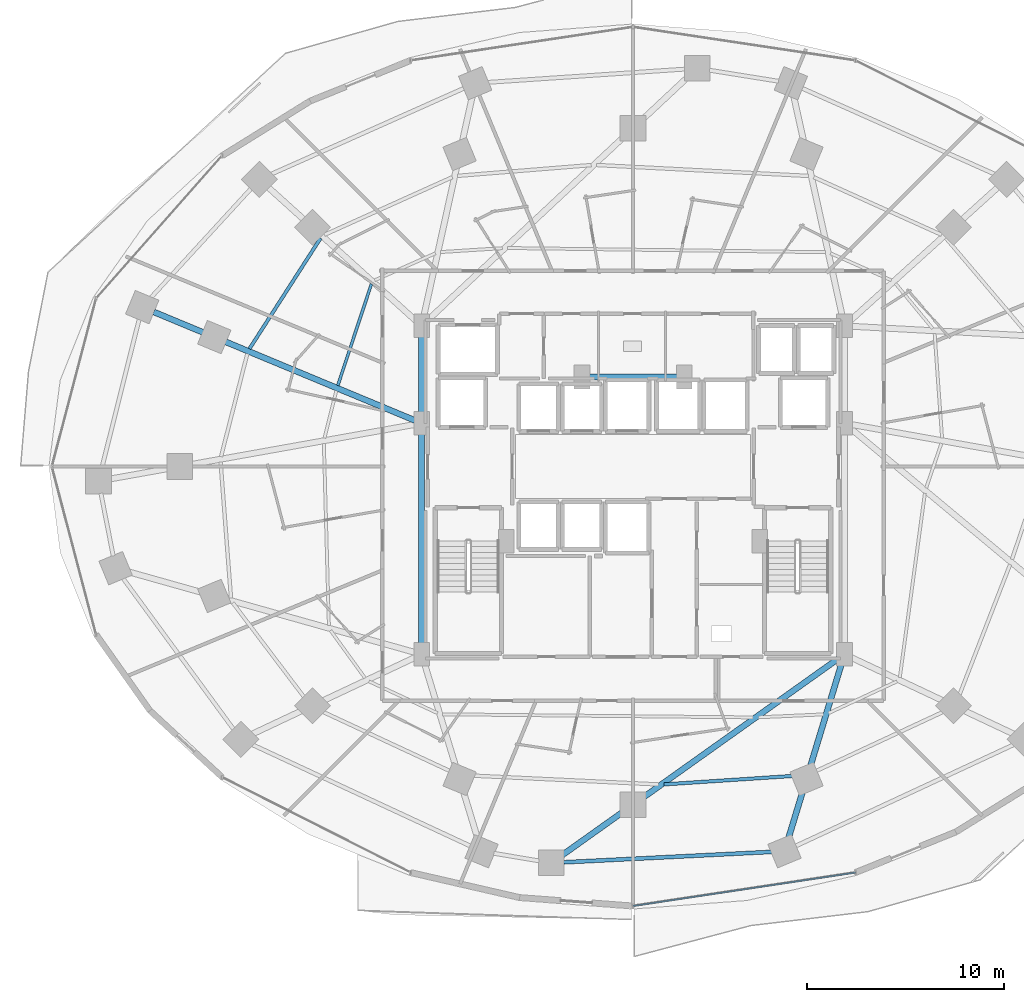
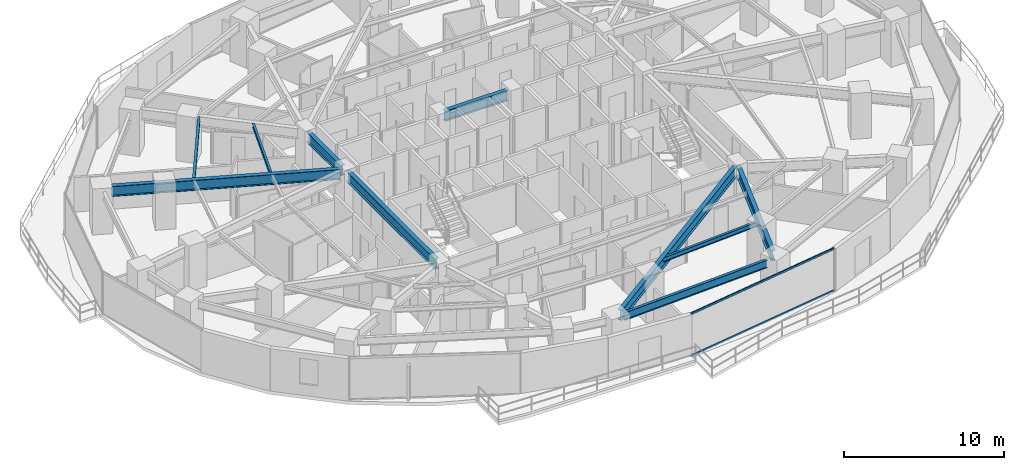
# One storey, part 11 of 36: 10 beams, 2 members, 1 element without a shape of its own.
"""IFC4 building model written with IfcOpenShell, lengths in metres."""

from ifc_helpers import new_model, si_unit, direction, frame, origin, origin_2d, place, context, subcontext, project, spatial, hollow_rectangle, i_section, extrude, material, material_profile, profile_set, type_object, element, aggregate, save


model = new_model("IFC4")

# Units and contexts
model_context = context("Model", 3, precision=1e-05, world=origin(), true_north=direction((0.0, 1.0)))
body_context = subcontext(model_context, "Body", "Model", "MODEL_VIEW")
ifc_project = project(units=[si_unit("LENGTHUNIT", "METRE"), si_unit("AREAUNIT", "SQUARE_METRE"), si_unit("VOLUMEUNIT", "CUBIC_METRE"), si_unit("PLANEANGLEUNIT", "RADIAN"), si_unit("MASSUNIT", "GRAM", prefix="KILO")], contexts=[model_context])

# Site, building, storey
site_placement = place(None, origin())
site = spatial("IfcSite", under=ifc_project, at=site_placement, CompositionType="ELEMENT")
building_placement = place(site_placement, origin())
building = spatial("IfcBuilding", under=site, at=building_placement, Name="Vorneva Point Tower", CompositionType="ELEMENT")
storey_placement = place(building_placement, frame((0.0, 0.0, 24.0)))
storey = spatial("IfcBuildingStorey", under=building, at=storey_placement, Name="L05", CompositionType="ELEMENT", Elevation=24.0)

# Beams
ifc_material_1 = material(Name="Steel S355", Category="steel")
ifc_material_profile_1 = material_profile(ifc_material_1, i_section(OverallWidth=0.300048828125, OverallDepth=0.7880859375, WebThickness=0.014404296875, FlangeThickness=0.02197265625, at=origin_2d()), Name="80Sh1")
ifc_profile_set_1 = profile_set([ifc_material_profile_1], Name="Steel S355")
beam_type_1 = type_object("IfcBeamType", Name="BM-GRD-80Sh1", PredefinedType="USERDEFINED", material=ifc_profile_set_1)
beam_1_placement = place(storey_placement, frame((13.62841796875, 33.860595703125, 2.845947265625), z_axis=(0.923441399183, -0.383739471874, 0.0), x_axis=(0.383739471874, 0.923441399183, 0.0)))
element("IfcBeam", 1, at=beam_1_placement, inside=storey, type_object=beam_type_1, Name="L05 Radial Primary Girder 08", ObjectType="GIRDER", PredefinedType="USERDEFINED", context=body_context, shape_type="SweptSolid", body=[
    extrude(i_section(OverallWidth=0.300048828125, OverallDepth=0.7880859375, WebThickness=0.014404296875, FlangeThickness=0.02197265625, at=origin_2d()), origin(), (0.0, 0.0, 1.0), 14.410888671875),
])
beam_2_placement = place(storey_placement, frame((34.360107421875, 6.209716796875, 2.845947265625), z_axis=(0.814752171819, 0.579809363943, 0.0), x_axis=(-0.579809363943, 0.814752171819, 0.0)))
element("IfcBeam", 2, at=beam_2_placement, inside=storey, type_object=beam_type_1, Name="L05 Radial Primary Girder 13", ObjectType="GIRDER", PredefinedType="USERDEFINED", context=body_context, shape_type="SweptSolid", body=[
    extrude(i_section(OverallWidth=0.300048828125, OverallDepth=0.7880859375, WebThickness=0.014404296875, FlangeThickness=0.02197265625, at=origin_2d()), origin(), (0.0, 0.0, 1.0), 17.321533203125),
])
beam_3_placement = place(storey_placement, frame((45.888916015625, 7.045654296875, 2.845947265625), z_axis=(0.29104183924, 0.956710325967, 0.0), x_axis=(-0.956710325967, 0.29104183924, 0.0)))
element("IfcBeam", 3, at=beam_3_placement, inside=storey, type_object=beam_type_1, Name="L05 Radial Primary Girder 14", ObjectType="GIRDER", PredefinedType="USERDEFINED", context=body_context, shape_type="SweptSolid", body=[
    extrude(i_section(OverallWidth=0.300048828125, OverallDepth=0.7880859375, WebThickness=0.014404296875, FlangeThickness=0.02197265625, at=origin_2d()), origin(), (0.0, 0.0, 1.0), 9.489990234375),
])
beam_4_placement = place(storey_placement, frame((27.25, 16.77001953125, 2.845947265625), z_axis=(0.0, 1.0, 0.0), x_axis=(-1.0, 0.0, 0.0)))
element("IfcBeam", 4, at=beam_4_placement, inside=storey, type_object=beam_type_1, Name="L05 Core Tie Girder CT1", ObjectType="GIRDER", PredefinedType="USERDEFINED", context=body_context, shape_type="SweptSolid", body=[
    extrude(i_section(OverallWidth=0.300048828125, OverallDepth=0.7880859375, WebThickness=0.014404296875, FlangeThickness=0.02197265625, at=origin_2d()), origin(), (0.0, 0.0, 1.0), 11.10986328125),
])
beam_5_placement = place(storey_placement, frame((27.25, 28.52001953125, 2.845947265625), z_axis=(0.0, 1.0, 0.0), x_axis=(-1.0, 0.0, 0.0)))
element("IfcBeam", 5, at=beam_5_placement, inside=storey, type_object=beam_type_1, Name="L05 Core Tie Girder CT2", ObjectType="GIRDER", PredefinedType="USERDEFINED", context=body_context, shape_type="SweptSolid", body=[
    extrude(i_section(OverallWidth=0.300048828125, OverallDepth=0.7880859375, WebThickness=0.014404296875, FlangeThickness=0.02197265625, at=origin_2d()), origin(), (0.0, 0.0, 1.0), 4.31005859375),
])
beam_6_placement = place(storey_placement, frame((35.719970703125, 30.550048828125, 2.845947265625), z_axis=(1.0, 0.0, 0.0), x_axis=(0.0, 1.0, 0.0)))
element("IfcBeam", 6, at=beam_6_placement, inside=storey, type_object=beam_type_1, Name="L05 Core Tie Girder CT8", ObjectType="GIRDER", PredefinedType="USERDEFINED", context=body_context, shape_type="SweptSolid", body=[
    extrude(i_section(OverallWidth=0.300048828125, OverallDepth=0.7880859375, WebThickness=0.014404296875, FlangeThickness=0.02197265625, at=origin_2d()), origin(), (0.0, 0.0, 1.0), 4.56005859375),
])
ifc_material_profile_2 = material_profile(ifc_material_1, i_section(OverallWidth=0.14892578125, OverallDepth=0.298095703125, WebThickness=0.005615234375, FlangeThickness=0.008056640625, at=origin_2d()), Name="30B1")
ifc_profile_set_2 = profile_set([ifc_material_profile_2], Name="Steel S355")
beam_type_2 = type_object("IfcBeamType", Name="BM-JST-30B1", PredefinedType="JOIST", material=ifc_profile_set_2)
beam_7_placement = place(storey_placement, frame((24.69775390625, 35.28515625, 3.091064453125), z_axis=(-0.314436704085, -0.949278441304, 0.0), x_axis=(0.949278441304, -0.314436704085, 0.0)))
element("IfcBeam", 7, at=beam_7_placement, inside=storey, type_object=beam_type_2, Name="L05 Secondary Floor Beam 2.07", PredefinedType="JOIST", context=body_context, shape_type="SweptSolid", body=[
    extrude(i_section(OverallWidth=0.14892578125, OverallDepth=0.298095703125, WebThickness=0.005615234375, FlangeThickness=0.008056640625, at=origin_2d()), origin(), (0.0, 0.0, 1.0), 5.4404296875),
])
ifc_material_profile_3 = material_profile(ifc_material_1, i_section(OverallWidth=0.174072265625, OverallDepth=0.345947265625, WebThickness=0.006103515625, FlangeThickness=0.009033203125, at=origin_2d()), Name="35B1")
ifc_profile_set_3 = profile_set([ifc_material_profile_3], Name="Steel S355")
beam_type_3 = type_object("IfcBeamType", Name="BM-SEC-35B1", PredefinedType="BEAM", material=ifc_profile_set_3)
beam_8_placement = place(storey_placement, frame((22.109130859375, 37.610107421875, 3.06689453125), z_axis=(-0.540744672728, -0.841186780041, 0.0), x_axis=(0.841186780041, -0.540744672728, 0.0)))
element("IfcBeam", 8, at=beam_8_placement, inside=storey, type_object=beam_type_3, Name="L05 Secondary Floor Beam 1.07", PredefinedType="BEAM", context=body_context, shape_type="SweptSolid", body=[
    extrude(i_section(OverallWidth=0.174072265625, OverallDepth=0.345947265625, WebThickness=0.006103515625, FlangeThickness=0.009033203125, at=origin_2d()), origin(), (0.0, 0.0, 1.0), 6.68603515625),
])
beam_9_placement = place(storey_placement, frame((39.57861328125, 9.83447265625, 3.06689453125), z_axis=(0.997852471527, 0.065501489053, 0.0), x_axis=(-0.065501489053, 0.997852471527, 0.0)))
element("IfcBeam", 9, at=beam_9_placement, inside=storey, type_object=beam_type_3, Name="L05 Secondary Floor Beam 1.13", PredefinedType="BEAM", context=body_context, shape_type="SweptSolid", body=[
    extrude(i_section(OverallWidth=0.174072265625, OverallDepth=0.345947265625, WebThickness=0.006103515625, FlangeThickness=0.009033203125, at=origin_2d()), origin(), (0.0, 0.0, 1.0), 7.182373046875),
])
ifc_material_profile_4 = material_profile(ifc_material_1, i_section(OverallWidth=0.198974609375, OverallDepth=0.595947265625, WebThickness=0.010009765625, FlangeThickness=0.014892578125, at=origin_2d()), Name="60B1")
ifc_profile_set_4 = profile_set([ifc_material_profile_4], Name="Steel S355")
beam_type_4 = type_object("IfcBeamType", Name="BM-SPN-60B1", PredefinedType="SPANDREL", material=ifc_profile_set_4)
beam_10_placement = place(storey_placement, frame((34.474609375, 5.87158203125, 2.94189453125), z_axis=(0.998742793008, 0.050128169866, 0.0), x_axis=(-0.050128169866, 0.998742793008, 0.0)))
element("IfcBeam", 10, at=beam_10_placement, inside=storey, type_object=beam_type_4, Name="L05 Perimeter Spandrel Ring Beam 13", PredefinedType="SPANDREL", context=body_context, shape_type="SweptSolid", body=[
    extrude(i_section(OverallWidth=0.198974609375, OverallDepth=0.595947265625, WebThickness=0.010009765625, FlangeThickness=0.014892578125, at=origin_2d()), origin(), (0.0, 0.0, 1.0), 10.607666015625),
])

# Curtain wall, members
ifc_material_2 = material(Name="Pale anodised aluminium", Category="aluminium")
curtain_wall_type = type_object("IfcCurtainWallType", Name="CW-HTL-SYS", PredefinedType="NOTDEFINED", material=ifc_material_2)
curtain_wall_placement = place(storey_placement, origin())
curtain_wall = element("IfcCurtainWall", 11, at=curtain_wall_placement, inside=storey, type_object=curtain_wall_type, Name="L05 Unitised Curtain Wall CW-L05-R05", PredefinedType="NOTDEFINED")
ifc_material_profile_5 = material_profile(ifc_material_2, hollow_rectangle(XDim=0.074951171875, YDim=0.14990234375, WallThickness=0.00390625, at=origin_2d()), Name="AL-TRN 150x75x4")
ifc_profile_set_5 = profile_set([ifc_material_profile_5], Name="Pale anodised aluminium")
member_type = type_object("IfcMemberType", Name="CW-TRN-150", PredefinedType="USERDEFINED", material=ifc_profile_set_5)
member_1_placement = place(storey_placement, frame((38.0, 3.64990234375, 0.02001953125), z_axis=(0.988870014575, 0.148782036131, 0.0), x_axis=(-0.148782036131, 0.988870014575, 0.0)))
member_1 = element("IfcMember", 12, at=member_1_placement, type_object=member_type, Name="CW-L05-R05 Transom 01.1", ObjectType="TRANSOM", PredefinedType="USERDEFINED", context=body_context, shape_type="SweptSolid", body=[
    extrude(hollow_rectangle(XDim=0.074951171875, YDim=0.14990234375, WallThickness=0.00390625, at=origin_2d()), origin(), (0.0, 0.0, 1.0), 11.435546875),
])
member_2_placement = place(storey_placement, frame((38.0, 3.64990234375, 3.219970703125), z_axis=(0.988870014575, 0.148782036131, 0.0), x_axis=(-0.148782036131, 0.988870014575, 0.0)))
member_2 = element("IfcMember", 13, at=member_2_placement, type_object=member_type, Name="CW-L05-R05 Transom 01.2", ObjectType="TRANSOM", PredefinedType="USERDEFINED", context=body_context, shape_type="SweptSolid", body=[
    extrude(hollow_rectangle(XDim=0.074951171875, YDim=0.14990234375, WallThickness=0.00390625, at=origin_2d()), origin(), (0.0, 0.0, 1.0), 11.435546875),
])
aggregate(curtain_wall, [member_1, member_2])

save(model, "model.ifc")
